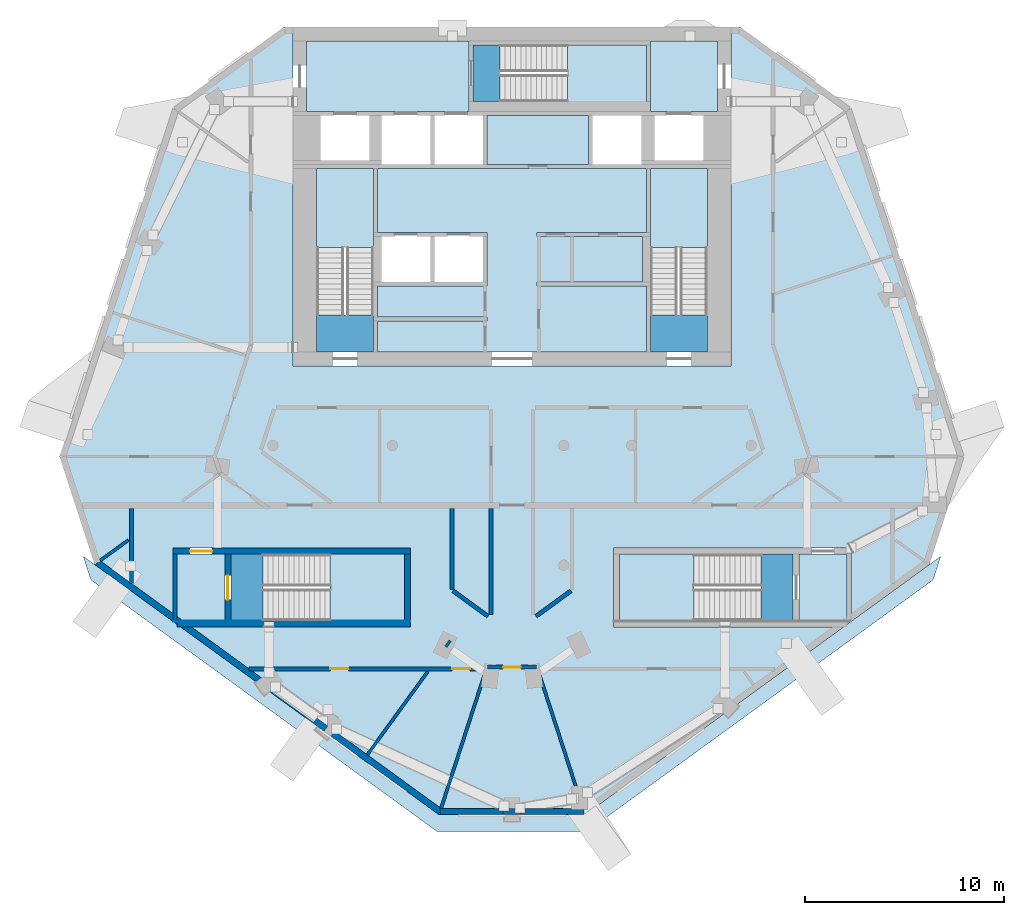
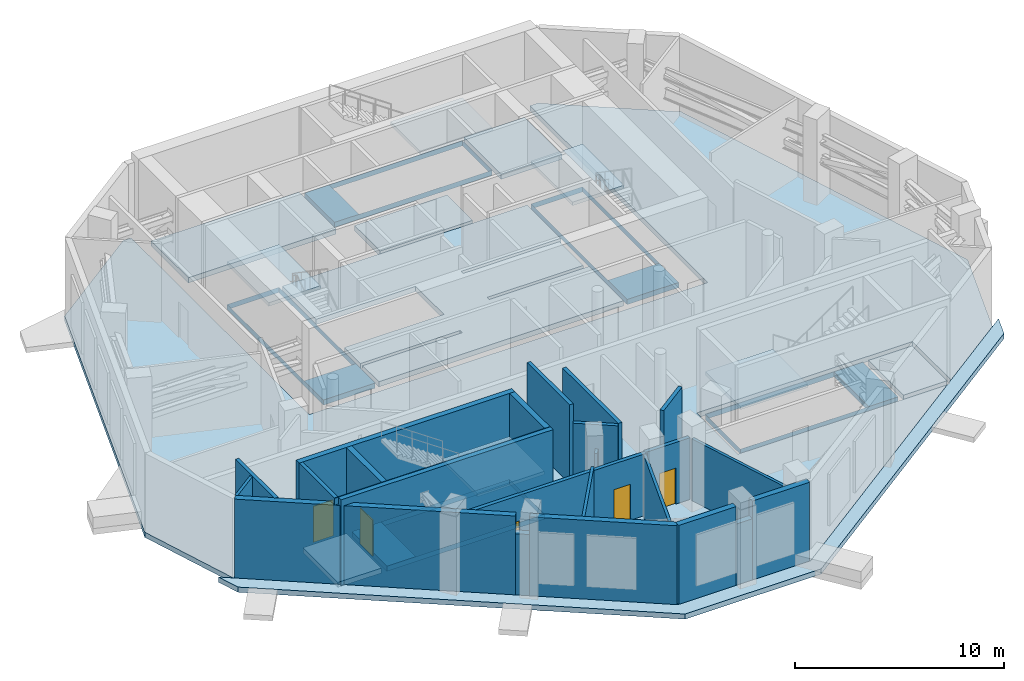
# One storey, part 6 of 15: 24 walls, 18 slabs, 5 doors, 5 openings, 5 elements without a shape of their own.
"""IFC4 building model written with IfcOpenShell, lengths in metres."""

import ifcopenshell
import ifcopenshell.guid

model = None  # the IFC model being written
_history = None  # IfcOwnerHistory: only IFC2X3 demands one
_inside = {}  # id of a spatial element -> (the spatial element, [elements in it])
_under = {}  # id of a project, library or spatial element -> (it, [spatial elements below it])
_declared = {}  # id of a project -> (the project, [libraries it declares])
_typed = {}  # id of a type object -> (the type object, [elements of that type])
_made_of = {}  # id of a material, layer set ... -> (it, [elements and type objects made of it])


def new_model(schema):
    """Start an empty IFC model of exactly this schema.

    Asked for "IFC4X3", IfcOpenShell would pick the latest addendum, in which some entities
    have other attributes; the version numbers below select the first issue.
    IFC2X3 requires an IfcOwnerHistory on every rooted entity: one is made here for all.
    """
    global model, _history
    if schema == "IFC4X3":
        model = ifcopenshell.file(schema_version=(4, 3, 0, 0))
    else:
        model = ifcopenshell.file(schema=schema)
    _inside.clear()
    _under.clear()
    _declared.clear()
    _typed.clear()
    _made_of.clear()
    _history = None
    if model.schema == "IFC2X3":
        org = make("IfcOrganization", Name="unknown")
        user = make(
            "IfcPersonAndOrganization",
            ThePerson=make("IfcPerson", FamilyName="unknown"),
            TheOrganization=org,
        )
        app = make(
            "IfcApplication",
            ApplicationDeveloper=org,
            Version="unknown",
            ApplicationFullName="unknown",
            ApplicationIdentifier="unknown",
        )
        _history = make(
            "IfcOwnerHistory",
            OwningUser=user,
            OwningApplication=app,
            ChangeAction="ADDED",
            CreationDate=0,
        )
    return model


def make(cls, **values):
    """One entity of the class cls with the attributes given. An attribute that is None is left unset."""
    return model.create_entity(
        cls, **{name: value for name, value in values.items() if value is not None}
    )


def rooted(cls, **values):
    """An entity with a GlobalId (a new one), such as an element, a storey or a relation."""
    return make(cls, GlobalId=ifcopenshell.guid.new(), OwnerHistory=_history, **values)


def si_unit(unit_type, name, prefix=None):
    """IfcSIUnit, for example si_unit("LENGTHUNIT", "METRE", prefix="MILLI")."""
    return make("IfcSIUnit", UnitType=unit_type, Prefix=prefix, Name=name)


def assignment(units):
    """IfcUnitAssignment: the units of a project."""
    return None if units is None else make("IfcUnitAssignment", Units=units)


def point(xyz):
    """IfcCartesianPoint."""
    return None if xyz is None else make("IfcCartesianPoint", Coordinates=xyz)


def direction(xyz):
    """IfcDirection."""
    return None if xyz is None else make("IfcDirection", DirectionRatios=xyz)


def frame(location, z_axis=None, x_axis=None):
    """IfcAxis2Placement3D, a coordinate frame: its origin and axes. An axis left out is left unset."""
    return make(
        "IfcAxis2Placement3D",
        Location=point(location),
        Axis=direction(z_axis),
        RefDirection=direction(x_axis),
    )


def frame_2d(location, x_axis=None):
    """IfcAxis2Placement2D, a coordinate frame in the plane: its origin and x axis."""
    return make(
        "IfcAxis2Placement2D", Location=point(location), RefDirection=direction(x_axis)
    )


def origin():
    """The frame at (0, 0, 0) with its axes left unset."""
    return frame((0.0, 0.0, 0.0))


def place(relative_to, where):
    """IfcLocalPlacement: puts the frame where relative to a parent placement (None: the world)."""
    return make(
        "IfcLocalPlacement", PlacementRelTo=relative_to, RelativePlacement=where
    )


def context(
    kind, dimensions, precision=None, world=None, true_north=None, identifier=None
):
    """IfcGeometricRepresentationContext, for example the 3D "Model" context."""
    return make(
        "IfcGeometricRepresentationContext",
        ContextIdentifier=identifier,
        ContextType=kind,
        CoordinateSpaceDimension=dimensions,
        Precision=precision,
        WorldCoordinateSystem=world,
        TrueNorth=true_north,
    )


def subcontext(parent, identifier, kind, view, scale=None):
    """IfcGeometricRepresentationSubContext, for example "Body" below "Model"."""
    return make(
        "IfcGeometricRepresentationSubContext",
        ContextIdentifier=identifier,
        ContextType=kind,
        ParentContext=parent,
        TargetScale=scale,
        TargetView=view,
    )


def project(units=None, contexts=None):
    """IfcProject with its units and contexts."""
    return rooted(
        "IfcProject",
        Name="project",
        RepresentationContexts=contexts,
        UnitsInContext=assignment(units),
    )


def spatial(cls, under=None, at=None, **own):
    """A site, building, storey or space (cls), placed at a placement, below another one or the project."""
    s = rooted(cls, ObjectPlacement=at, **own)
    if under is not None:
        _under.setdefault(under.id(), (under, []))[1].append(s)
    return s


def polyline(points):
    """IfcPolyline through the points."""
    return make("IfcPolyline", Points=[point(p) for p in points])


def profile(cls, at=None, kind="AREA", **sizes):
    """A parametric profile (cls). Its sizes go by their IFC names, for example OverallWidth=200.0."""
    return make(cls, ProfileType=kind, Position=at, **sizes)


def rectangle(**sizes):
    """IfcRectangleProfileDef."""
    return profile("IfcRectangleProfileDef", **sizes)


def outline(outer, holes=None, kind="AREA"):
    """IfcArbitraryClosedProfileDef: a profile drawn as a closed curve; with holes, ...WithVoids."""
    if holes is None:
        return make("IfcArbitraryClosedProfileDef", ProfileType=kind, OuterCurve=outer)
    return make(
        "IfcArbitraryProfileDefWithVoids",
        ProfileType=kind,
        OuterCurve=outer,
        InnerCurves=holes,
    )


def extrude(swept, where, along, depth):
    """IfcExtrudedAreaSolid: the profile swept, set in the frame where, extruded along a direction by depth."""
    return make(
        "IfcExtrudedAreaSolid",
        SweptArea=swept,
        Position=where,
        ExtrudedDirection=direction(along),
        Depth=depth,
    )


def shape(context_of_items, identifier, shape_type, items):
    """IfcShapeRepresentation: the items that make up one representation, for example the "Body"."""
    return make(
        "IfcShapeRepresentation",
        ContextOfItems=context_of_items,
        RepresentationIdentifier=identifier,
        RepresentationType=shape_type,
        Items=items,
    )


def material(Name=None, Category=None):
    """IfcMaterial."""
    return make("IfcMaterial", Name=Name, Category=Category)


def layer(
    of_material, thickness, ventilated=None, Name=None, Category=None, Priority=None
):
    """IfcMaterialLayer: one layer of a wall or slab, of a material (None: an air gap)."""
    return make(
        "IfcMaterialLayer",
        Material=of_material,
        LayerThickness=thickness,
        IsVentilated=ventilated,
        Name=Name,
        Category=Category,
        Priority=Priority,
    )


def layer_set(layers, Name=None):
    """IfcMaterialLayerSet."""
    return make("IfcMaterialLayerSet", MaterialLayers=layers, LayerSetName=Name)


def made_of(thing, what):
    """Note that an element or type object is made of a material, layer set ...; save() writes the relation."""
    if what is not None:
        _made_of.setdefault(what.id(), (what, []))[1].append(thing)
    return thing


def type_object(cls, material=None, **own):
    """A type object (cls), such as IfcWallType, which elements share."""
    return made_of(rooted(cls, **own), material)


def element(
    cls,
    number,
    at=None,
    inside=None,
    cuts=None,
    type_object=None,
    material=None,
    context=None,
    identifier="Body",
    shape_type=None,
    held_by="IfcProductDefinitionShape",
    body=None,
    shapes=None,
    **own,
):
    """One element of the class cls, such as IfcWall. Its Tag is "e" and its number.

    at: its placement. inside: the storey or other place that contains it. cuts: it is an
    opening in that element (IfcRelVoidsElement). A single representation is given by context,
    identifier, shape_type and body (its items); several are given by shapes. held_by: the class
    of the entity that holds the representations. save() writes the other relations.
    """
    e = rooted(cls, Tag="e%d" % number, ObjectPlacement=at, **own)
    if body is not None:
        shapes = [shape(context, identifier, shape_type, body)]
    if shapes is not None:
        e.Representation = make(held_by, Representations=shapes)
    if inside is not None:
        _inside.setdefault(inside.id(), (inside, []))[1].append(e)
    if cuts is not None:
        rooted(
            "IfcRelVoidsElement", RelatingBuildingElement=cuts, RelatedOpeningElement=e
        )
    if type_object is not None:
        _typed.setdefault(type_object.id(), (type_object, []))[1].append(e)
    return made_of(e, material)


def fill(opening, filler):
    """IfcRelFillsElement: the door or window that sits in an opening."""
    return rooted(
        "IfcRelFillsElement",
        RelatingOpeningElement=opening,
        RelatedBuildingElement=filler,
    )


def aggregate(whole, parts):
    """IfcRelAggregates: a whole, such as a stair, and the parts it consists of."""
    return rooted("IfcRelAggregates", RelatingObject=whole, RelatedObjects=parts)


def save(model, path):
    """Write the relations noted so far, then the file.

    IfcRelAggregates (storeys below a building ...), IfcRelContainedInSpatialStructure (elements
    in a storey), IfcRelDefinesByType, IfcRelAssociatesMaterial and IfcRelDeclares: one each for
    every whole, place, type object, material and project.
    """
    for whole, parts in _under.values():
        aggregate(whole, parts)
    for where, things in _inside.values():
        rooted(
            "IfcRelContainedInSpatialStructure",
            RelatedElements=things,
            RelatingStructure=where,
        )
    for kind, things in _typed.values():
        rooted("IfcRelDefinesByType", RelatedObjects=things, RelatingType=kind)
    for what, things in _made_of.values():
        rooted("IfcRelAssociatesMaterial", RelatedObjects=things, RelatingMaterial=what)
    for by, libraries in _declared.values():
        rooted("IfcRelDeclares", RelatingContext=by, RelatedDefinitions=libraries)
    model.write(path)


model = new_model("IFC4")

# Units and contexts
model_context = context("Model", 3, precision=1e-05, world=origin(), true_north=direction((0.0, 1.0)))
body_context = subcontext(model_context, "Body", "Model", "MODEL_VIEW")
ifc_project = project(units=[si_unit("LENGTHUNIT", "METRE"), si_unit("AREAUNIT", "SQUARE_METRE"), si_unit("VOLUMEUNIT", "CUBIC_METRE"), si_unit("PLANEANGLEUNIT", "RADIAN"), si_unit("MASSUNIT", "GRAM", prefix="KILO")], contexts=[model_context])

# Site, building, storey
site_placement = place(None, origin())
site = spatial("IfcSite", under=ifc_project, at=site_placement, CompositionType="ELEMENT")
building_placement = place(site_placement, origin())
building = spatial("IfcBuilding", under=site, at=building_placement, Name="White Candle Pilgrim Tower", CompositionType="ELEMENT")
storey_placement = place(building_placement, frame((0.0, 0.0, 295.10009765625)))
storey = spatial("IfcBuildingStorey", under=building, at=storey_placement, Name="L70", CompositionType="ELEMENT", Elevation=295.10009765625)

# Slabs
ifc_material_1 = material(Name="Concrete C40/50", Category="concrete")
ifc_layer_1 = layer(ifc_material_1, 0.300048828125)
ifc_layer_set_1 = layer_set([ifc_layer_1], Name="Core floor slab 300 mm Concrete C40/50")
slab_type_1 = type_object("IfcSlabType", Name="Core floor slab 300 mm Concrete C40/50", PredefinedType="FLOOR", material=ifc_layer_set_1)
slab_1_placement = place(storey_placement, frame((0.0, 0.0, -0.300048828125)))
element("IfcSlab", 1, at=slab_1_placement, inside=storey, type_object=slab_type_1, Name="CF-L70-01", PredefinedType="FLOOR", context=body_context, shape_type="SweptSolid", body=[
    extrude(outline(polyline([(55.60009765625, 58.199951171875), (53.199951171875, 58.199951171875), (53.199951171875, 61.550048828125), (55.60009765625, 61.550048828125), (55.60009765625, 58.199951171875)])), origin(), (0.0, 0.0, 1.0), 0.300048828125),
])
slab_2_placement = place(storey_placement, frame((0.0, 0.0, -0.300048828125)))
element("IfcSlab", 2, at=slab_2_placement, inside=storey, type_object=slab_type_1, Name="CF-L70-02", PredefinedType="FLOOR", context=body_context, shape_type="SweptSolid", body=[
    extrude(outline(polyline([(55.89990234375, 58.199951171875), (55.89990234375, 61.550048828125), (64.60009765625, 61.550048828125), (64.60009765625, 58.199951171875), (55.89990234375, 58.199951171875)]), holes=[polyline([(57.501953125, 61.548095703125), (57.501953125, 58.201904296875), (64.597900390625, 58.201904296875), (64.597900390625, 61.548095703125), (57.501953125, 61.548095703125)])]), origin(), (0.0, 0.0, 1.0), 0.300048828125),
])
slab_3_placement = place(storey_placement, frame((0.0, 0.0, -0.300048828125)))
element("IfcSlab", 3, at=slab_3_placement, inside=storey, type_object=slab_type_1, Name="CF-L70-03", PredefinedType="FLOOR", context=body_context, shape_type="SweptSolid", body=[
    extrude(outline(polyline([(75.39990234375, 58.199951171875), (75.39990234375, 61.550048828125), (84.10009765625, 61.550048828125), (84.10009765625, 58.199951171875), (75.39990234375, 58.199951171875)]), holes=[polyline([(82.498046875, 58.201904296875), (82.498046875, 61.548095703125), (75.402099609375, 61.548095703125), (75.402099609375, 58.201904296875), (82.498046875, 58.201904296875)])]), origin(), (0.0, 0.0, 1.0), 0.300048828125),
])
slab_4_placement = place(storey_placement, frame((0.0, 0.0, -0.300048828125)))
element("IfcSlab", 4, at=slab_4_placement, inside=storey, type_object=slab_type_1, Name="CF-L70-04", PredefinedType="FLOOR", context=body_context, shape_type="SweptSolid", body=[
    extrude(outline(polyline([(86.800048828125, 58.199951171875), (84.39990234375, 58.199951171875), (84.39990234375, 61.550048828125), (86.800048828125, 61.550048828125), (86.800048828125, 58.199951171875)])), origin(), (0.0, 0.0, 1.0), 0.300048828125),
])
slab_5_placement = place(storey_placement, frame((0.0, 0.0, -0.300048828125)))
element("IfcSlab", 5, at=slab_5_placement, inside=storey, type_object=slab_type_1, Name="CF-L70-05", PredefinedType="FLOOR", context=body_context, shape_type="SweptSolid", body=[
    extrude(outline(polyline([(76.949951171875, 71.699951171875), (76.949951171875, 75.0), (76.949951171875, 75.199951171875), (76.949951171875, 77.5), (76.949951171875, 77.699951171875), (76.949951171875, 80.89990234375), (79.800048828125, 80.89990234375), (79.800048828125, 71.699951171875), (76.949951171875, 71.699951171875)]), holes=[polyline([(76.951904296875, 73.552001953125), (79.798095703125, 73.552001953125), (79.798095703125, 80.89794921875), (76.951904296875, 80.89794921875), (76.951904296875, 73.552001953125)])]), origin(), (0.0, 0.0, 1.0), 0.300048828125),
])
slab_6_placement = place(storey_placement, frame((0.0, 0.0, -0.300048828125)))
element("IfcSlab", 6, at=slab_6_placement, inside=storey, type_object=slab_type_1, Name="CF-L70-06", PredefinedType="FLOOR", context=body_context, shape_type="SweptSolid", body=[
    extrude(outline(polyline([(63.25, 71.699951171875), (63.25, 73.25), (68.75, 73.25), (68.75, 73.449951171875), (63.25, 73.449951171875), (63.25, 75.0), (68.75, 75.0), (68.75, 75.199951171875), (68.75, 77.5), (68.75, 77.699951171875), (63.25, 77.699951171875), (63.25, 80.89990234375), (76.75, 80.89990234375), (76.75, 77.699951171875), (71.25, 77.699951171875), (71.25, 77.5), (76.550048828125, 77.5), (76.550048828125, 75.199951171875), (71.25, 75.199951171875), (71.25, 75.0), (76.75, 75.0), (76.75, 71.699951171875), (63.25, 71.699951171875)])), origin(), (0.0, 0.0, 1.0), 0.300048828125),
])
slab_7_placement = place(storey_placement, frame((0.0, 0.0, -0.300048828125)))
element("IfcSlab", 7, at=slab_7_placement, inside=storey, type_object=slab_type_1, Name="CF-L70-07", PredefinedType="FLOOR", context=body_context, shape_type="SweptSolid", body=[
    extrude(outline(polyline([(60.199951171875, 71.699951171875), (60.199951171875, 80.89990234375), (63.050048828125, 80.89990234375), (63.050048828125, 77.699951171875), (63.050048828125, 77.5), (63.050048828125, 75.199951171875), (63.050048828125, 75.0), (63.050048828125, 73.449951171875), (63.050048828125, 73.25), (63.050048828125, 71.699951171875), (60.199951171875, 71.699951171875)]), holes=[polyline([(60.201904296875, 73.552001953125), (63.048095703125, 73.552001953125), (63.048095703125, 80.89794921875), (60.201904296875, 80.89794921875), (60.201904296875, 73.552001953125)])]), origin(), (0.0, 0.0, 1.0), 0.300048828125),
])
slab_8_placement = place(storey_placement, frame((0.0, 0.0, -0.300048828125)))
element("IfcSlab", 8, at=slab_8_placement, inside=storey, type_object=slab_type_1, Name="CF-L70-08", PredefinedType="FLOOR", context=body_context, shape_type="SweptSolid", body=[
    extrude(outline(polyline([(59.699951171875, 87.300048828125), (67.85009765625, 87.300048828125), (67.85009765625, 87.10009765625), (67.85009765625, 84.25), (67.85009765625, 83.75), (59.699951171875, 83.75), (59.699951171875, 87.300048828125)])), origin(), (0.0, 0.0, 1.0), 0.300048828125),
])
slab_9_placement = place(storey_placement, frame((0.0, 0.0, -0.300048828125)))
element("IfcSlab", 9, at=slab_9_placement, inside=storey, type_object=slab_type_1, Name="CF-L70-09", PredefinedType="FLOOR", context=body_context, shape_type="SweptSolid", body=[
    extrude(outline(polyline([(80.300048828125, 87.300048828125), (80.300048828125, 83.75), (76.949951171875, 83.75), (76.949951171875, 84.25), (76.949951171875, 87.10009765625), (76.949951171875, 87.300048828125), (80.300048828125, 87.300048828125)])), origin(), (0.0, 0.0, 1.0), 0.300048828125),
])
slab_10_placement = place(storey_placement, frame((0.0, 0.0, -0.300048828125)))
element("IfcSlab", 10, at=slab_10_placement, inside=storey, type_object=slab_type_1, Name="CF-L70-10", PredefinedType="FLOOR", context=body_context, shape_type="SweptSolid", body=[
    extrude(outline(polyline([(68.050048828125, 87.10009765625), (76.75, 87.10009765625), (76.75, 84.25), (68.050048828125, 84.25), (68.050048828125, 87.10009765625)]), holes=[polyline([(69.402099609375, 87.097900390625), (69.402099609375, 84.251953125), (76.748046875, 84.251953125), (76.748046875, 87.097900390625), (69.402099609375, 87.097900390625)])]), origin(), (0.0, 0.0, 1.0), 0.300048828125),
])
slab_11_placement = place(storey_placement, frame((0.0, 0.0, -0.300048828125)))
element("IfcSlab", 11, at=slab_11_placement, inside=storey, type_object=slab_type_1, Name="CF-L70-11", PredefinedType="FLOOR", context=body_context, shape_type="SweptSolid", body=[
    extrude(outline(polyline([(73.85009765625, 83.550048828125), (73.85009765625, 81.10009765625), (68.75, 81.10009765625), (68.75, 83.550048828125), (73.85009765625, 83.550048828125)])), origin(), (0.0, 0.0, 1.0), 0.300048828125),
])
ifc_layer_2 = layer(ifc_material_1, 0.300048828125)
ifc_layer_set_2 = layer_set([ifc_layer_2], Name="Floor slab 300 REI 240")
slab_type_2 = type_object("IfcSlabType", Name="Floor slab 300 REI 240", PredefinedType="FLOOR", material=ifc_layer_set_2)
slab_12_placement = place(storey_placement, frame((0.0, 0.0, -0.300048828125)))
element("IfcSlab", 12, at=slab_12_placement, inside=storey, type_object=slab_type_2, Name="L70 floor slab", PredefinedType="FLOOR", context=body_context, shape_type="SweptSolid", body=[
    extrude(outline(polyline([(66.33740234375, 48.476318359375), (73.66259765625, 48.476318359375), (86.633056640625, 57.89990234375), (75.10009765625, 57.89990234375), (75.10009765625, 61.85009765625), (87.0, 61.85009765625), (87.0, 58.16650390625), (90.9375, 61.02734375), (92.697265625, 66.443359375), (87.00830078125, 83.952392578125), (81.43701171875, 88.0), (81.0, 88.0), (81.0, 71.0), (59.0, 71.0), (59.0, 88.0), (58.56298828125, 88.0), (52.99169921875, 83.952392578125), (47.302734375, 66.443359375), (49.0625, 61.02734375), (53.0, 58.16650390625), (53.0, 61.85009765625), (64.89990234375, 61.85009765625), (64.89990234375, 57.89990234375), (53.366943359375, 57.89990234375), (66.33740234375, 48.476318359375)])), origin(), (0.0, 0.0, 1.0), 0.300048828125),
])
ifc_layer_3 = layer(ifc_material_1, 0.300048828125)
ifc_layer_set_3 = layer_set([ifc_layer_3], Name="Setback ledge 300 REI 240")
slab_type_3 = type_object("IfcSlabType", Name="Setback ledge 300 REI 240", PredefinedType="FLOOR", material=ifc_layer_set_3)
slab_13_placement = place(storey_placement, frame((0.0, 0.0, -0.300048828125)))
element("IfcSlab", 13, at=slab_13_placement, inside=storey, type_object=slab_type_3, Name="L70 setback ledge 01", PredefinedType="FLOOR", context=body_context, shape_type="SweptSolid", body=[
    extrude(outline(polyline([(66.242919921875, 47.6337890625), (73.757080078125, 47.6337890625), (91.129638671875, 60.255859375), (91.51708984375, 61.448486328125), (73.66259765625, 48.476318359375), (66.33740234375, 48.476318359375), (48.48291015625, 61.448486328125), (48.870361328125, 60.255859375), (66.242919921875, 47.6337890625)])), origin(), (0.0, 0.0, 1.0), 0.300048828125),
])

# Stair, slab
stair_type_1 = type_object("IfcStairType", Name="Exit stair 1 flight width 1350 mm", PredefinedType="HALF_TURN_STAIR", material=ifc_material_1)
stair_1_placement = place(storey_placement, origin())
stair_1 = element("IfcStair", 14, at=stair_1_placement, inside=storey, type_object=stair_type_1, Name="L70 stair 1", PredefinedType="NOTDEFINED")
ifc_layer_4 = layer(ifc_material_1, 0.199951171875)
ifc_layer_set_4 = layer_set([ifc_layer_4], Name="Stair landing Concrete C40/50")
slab_type_4 = type_object("IfcSlabType", Name="Stair landing Concrete C40/50", PredefinedType="LANDING", material=ifc_layer_set_4)
slab_14_placement = place(storey_placement, frame((0.0, 0.0, 2.2998046875)))
slab_14 = element("IfcSlab", 15, at=slab_14_placement, type_object=slab_type_4, Name="ST1 landing 1", PredefinedType="LANDING", context=body_context, shape_type="SweptSolid", body=[
    extrude(outline(polyline([(63.052001953125, 76.927978515625), (60.197998046875, 76.927978515625), (60.197998046875, 80.902099609375), (63.052001953125, 80.902099609375), (63.052001953125, 76.927978515625)])), origin(), (0.0, 0.0, 1.0), 0.2001953125),
])
aggregate(stair_1, [slab_14])

stair_type_2 = type_object("IfcStairType", Name="Exit stair 2 flight width 1350 mm", PredefinedType="HALF_TURN_STAIR", material=ifc_material_1)
stair_2_placement = place(storey_placement, origin())
stair_2 = element("IfcStair", 16, at=stair_2_placement, inside=storey, type_object=stair_type_2, Name="L70 stair 2", PredefinedType="NOTDEFINED")
slab_15_placement = place(storey_placement, frame((0.0, 0.0, 2.2998046875)))
slab_15 = element("IfcSlab", 17, at=slab_15_placement, type_object=slab_type_4, Name="ST2 landing 1", PredefinedType="LANDING", context=body_context, shape_type="SweptSolid", body=[
    extrude(outline(polyline([(79.802001953125, 76.927978515625), (76.947998046875, 76.927978515625), (76.947998046875, 80.902099609375), (79.802001953125, 80.902099609375), (79.802001953125, 76.927978515625)])), origin(), (0.0, 0.0, 1.0), 0.2001953125),
])
aggregate(stair_2, [slab_15])

stair_type_3 = type_object("IfcStairType", Name="Exit stair 3 flight width 1350 mm", PredefinedType="HALF_TURN_STAIR", material=ifc_material_1)
stair_3_placement = place(storey_placement, origin())
stair_3 = element("IfcStair", 18, at=stair_3_placement, inside=storey, type_object=stair_type_3, Name="L70 stair 3", PredefinedType="NOTDEFINED")
slab_16_placement = place(storey_placement, frame((0.0, 0.0, 2.2998046875)))
slab_16 = element("IfcSlab", 19, at=slab_16_placement, type_object=slab_type_4, Name="ST3 landing 1", PredefinedType="LANDING", context=body_context, shape_type="SweptSolid", body=[
    extrude(outline(polyline([(72.778076171875, 84.248046875), (72.778076171875, 87.10205078125), (76.751953125, 87.10205078125), (76.751953125, 84.248046875), (72.778076171875, 84.248046875)])), origin(), (0.0, 0.0, 1.0), 0.2001953125),
])
aggregate(stair_3, [slab_16])

stair_type_4 = type_object("IfcStairType", Name="Exit stair 4 flight width 1600 mm", PredefinedType="HALF_TURN_STAIR", material=ifc_material_1)
stair_4_placement = place(storey_placement, origin())
stair_4 = element("IfcStair", 20, at=stair_4_placement, inside=storey, type_object=stair_type_4, Name="L70 stair 4", PredefinedType="NOTDEFINED")
slab_17_placement = place(storey_placement, frame((0.0, 0.0, 2.2998046875)))
slab_17 = element("IfcSlab", 21, at=slab_17_placement, type_object=slab_type_4, Name="ST4 landing 1", PredefinedType="LANDING", context=body_context, shape_type="SweptSolid", body=[
    extrude(outline(polyline([(79.1220703125, 61.552001953125), (79.1220703125, 58.197998046875), (75.39794921875, 58.197998046875), (75.39794921875, 61.552001953125), (79.1220703125, 61.552001953125)])), origin(), (0.0, 0.0, 1.0), 0.2001953125),
])
aggregate(stair_4, [slab_17])

stair_type_5 = type_object("IfcStairType", Name="Exit stair 5 flight width 1600 mm", PredefinedType="HALF_TURN_STAIR", material=ifc_material_1)
stair_5_placement = place(storey_placement, origin())
stair_5 = element("IfcStair", 22, at=stair_5_placement, inside=storey, type_object=stair_type_5, Name="L70 stair 5", PredefinedType="NOTDEFINED")
slab_18_placement = place(storey_placement, frame((0.0, 0.0, 2.2998046875)))
slab_18 = element("IfcSlab", 23, at=slab_18_placement, type_object=slab_type_4, Name="ST5 landing 1", PredefinedType="LANDING", context=body_context, shape_type="SweptSolid", body=[
    extrude(outline(polyline([(60.8779296875, 58.197998046875), (60.8779296875, 61.552001953125), (64.60205078125, 61.552001953125), (64.60205078125, 58.197998046875), (60.8779296875, 58.197998046875)])), origin(), (0.0, 0.0, 1.0), 0.2001953125),
])
aggregate(stair_5, [slab_18])

# Walls
ifc_material_2 = material(Name="Concrete C50/60", Category="concrete")
ifc_layer_5 = layer(ifc_material_2, 0.199951171875)
ifc_layer_set_5 = layer_set([ifc_layer_5], Name="Core wall 200 mm Concrete C50/60")
wall_type_1 = type_object("IfcWallType", Name="Core wall 200 mm Concrete C50/60", PredefinedType="SHEAR", material=ifc_layer_set_5)
wall_1_placement = place(storey_placement, frame((53.10009765625, 58.199951171875, 0.0), z_axis=(0.0, 0.0, 1.0), x_axis=(0.0, 1.0, 0.0)))
element("IfcWall", 24, at=wall_1_placement, inside=storey, type_object=wall_type_1, Name="WL-L70-C05", PredefinedType="SHEAR", context=body_context, shape_type="SweptSolid", body=[
    extrude(rectangle(XDim=3.35009765625, YDim=0.199951171875, at=frame_2d((1.675048828125, 0.0))), origin(), (0.0, 0.0, 1.0), 5.0),
])
ifc_layer_6 = layer(ifc_material_2, 0.2666015625)
ifc_layer_set_6 = layer_set([ifc_layer_6], Name="Core wall 267 mm Concrete C50/60")
wall_type_2 = type_object("IfcWallType", Name="Core wall 267 mm Concrete C50/60", PredefinedType="SHEAR", material=ifc_layer_set_6)
wall_2_placement = place(storey_placement, frame((53.199951171875, 58.033203125, 0.0), z_axis=(0.0, 0.0, 1.0), x_axis=(1.0, 0.0, 0.0)))
element("IfcWall", 25, at=wall_2_placement, inside=storey, type_object=wall_type_2, Name="WL-L70-C01", PredefinedType="SHEAR", context=body_context, shape_type="SweptSolid", body=[
    extrude(rectangle(XDim=11.699951171875, YDim=0.2666015625, at=frame_2d((5.85009765625, 0.0))), origin(), (0.0, 0.0, 1.0), 5.0),
])
ifc_material_3 = material(Name="Gypsum board on steel studs", Category="steel")
ifc_layer_7 = layer(ifc_material_3, 0.199951171875)
ifc_layer_set_7 = layer_set([ifc_layer_7], Name="Corridor wall 200 mm EI 45")
wall_type_3 = type_object("IfcWallType", Name="Corridor wall 200 mm EI 45", PredefinedType="PARTITIONING", material=ifc_layer_set_7)
wall_3_placement = place(storey_placement, frame((50.89990234375, 60.087890625, 0.0), z_axis=(0.0, 0.0, 1.0), x_axis=(0.0, 1.0, 0.0)))
element("IfcWall", 26, at=wall_3_placement, inside=storey, type_object=wall_type_3, Name="WL-L70-P002", PredefinedType="PARTITIONING", context=body_context, shape_type="SweptSolid", body=[
    extrude(rectangle(XDim=3.76220703125, YDim=0.199951171875, at=frame_2d((1.881103515625, 0.0))), origin(), (0.0, 0.0, 1.0), 4.599853515625),
])

# Wall, opening, door
wall_4_placement = place(storey_placement, frame((71.2255859375, 55.876220703125, 0.0), z_axis=(0.0, 0.0, 1.0), x_axis=(-1.0, 0.0, 0.0)))
wall_4 = element("IfcWall", 27, at=wall_4_placement, inside=storey, type_object=wall_type_3, Name="WL-L70-P013", PredefinedType="PARTITIONING", context=body_context, shape_type="SweptSolid", body=[
    extrude(rectangle(XDim=2.451171875, YDim=0.199951171875, at=frame_2d((1.2255859375, 0.0))), origin(), (0.0, 0.0, 1.0), 3.599853515625),
])
opening_1_placement = place(wall_4_placement, frame((0.775634765625, 0.0, 0.0)))
opening_1 = element("IfcOpeningElement", 28, at=opening_1_placement, cuts=wall_4, Name="Opening L70-102", PredefinedType="OPENING", context=body_context, shape_type="SweptSolid", body=[
    extrude(rectangle(XDim=0.89990234375, YDim=2.10009765625, at=frame_2d((0.449951171875, 1.050048828125))), frame((0.0, 0.10986328125, 0.0), z_axis=(0.0, -1.0, 0.0), x_axis=(1.0, 0.0, 0.0)), (0.0, 0.0, 1.0), 0.219970703125),
])
ifc_material_4 = material(Name="Steel door leaf", Category="steel")
door_type_1 = type_object("IfcDoorType", Name="Fire door 900 x 2100 EI 30", OperationType="NOTDEFINED", PredefinedType="DOOR", material=ifc_material_4)
door_1_placement = place(opening_1_placement, origin())
door_1 = element("IfcDoor", 29, at=door_1_placement, inside=storey, type_object=door_type_1, Name="Door L70-102", OperationType="SINGLE_SWING_RIGHT", OverallHeight=2.10009765625, OverallWidth=0.89990234375, PredefinedType="DOOR", context=body_context, shape_type="SweptSolid", body=[
    extrude(rectangle(XDim=0.89990234375, YDim=2.10009765625, at=frame_2d((0.449951171875, 1.050048828125))), frame((0.0, 0.02490234375, 0.0), z_axis=(0.0, -1.0, 0.0), x_axis=(1.0, 0.0, 0.0)), (0.0, 0.0, 1.0), 0.050048828125),
])
fill(opening_1, door_1)

# Wall, openings, doors
wall_5_placement = place(storey_placement, frame((68.835693359375, 55.800048828125, 0.0), z_axis=(0.0, 0.0, 1.0), x_axis=(-1.0, 0.0, 0.0)))
wall_5 = element("IfcWall", 30, at=wall_5_placement, inside=storey, type_object=wall_type_3, Name="WL-L70-P014", PredefinedType="PARTITIONING", context=body_context, shape_type="SweptSolid", body=[
    extrude(rectangle(XDim=12.033935546875, YDim=0.199951171875, at=frame_2d((6.01708984375, 0.0))), origin(), (0.0, 0.0, 1.0), 3.599853515625),
])
opening_2_placement = place(wall_5_placement, frame((7.045654296875, 0.0, 0.0)))
opening_2 = element("IfcOpeningElement", 31, at=opening_2_placement, cuts=wall_5, Name="Opening L70-101", PredefinedType="OPENING", context=body_context, shape_type="SweptSolid", body=[
    extrude(rectangle(XDim=0.89990234375, YDim=2.10009765625, at=frame_2d((0.449951171875, 1.050048828125))), frame((0.0, 0.10986328125, 0.0), z_axis=(0.0, -1.0, 0.0), x_axis=(1.0, 0.0, 0.0)), (0.0, 0.0, 1.0), 0.219970703125),
])
opening_3_placement = place(wall_5_placement, frame((0.9365234375, 0.0, 0.0)))
opening_3 = element("IfcOpeningElement", 32, at=opening_3_placement, cuts=wall_5, Name="Opening L70-109", PredefinedType="OPENING", context=body_context, shape_type="SweptSolid", body=[
    extrude(rectangle(XDim=0.89990234375, YDim=2.10009765625, at=frame_2d((0.449951171875, 1.050048828125))), frame((0.0, 0.10986328125, 0.0), z_axis=(0.0, -1.0, 0.0), x_axis=(1.0, 0.0, 0.0)), (0.0, 0.0, 1.0), 0.219970703125),
])
door_2_placement = place(opening_2_placement, origin())
door_2 = element("IfcDoor", 33, at=door_2_placement, inside=storey, type_object=door_type_1, Name="Door L70-101", OperationType="SINGLE_SWING_LEFT", OverallHeight=2.10009765625, OverallWidth=0.89990234375, PredefinedType="DOOR", context=body_context, shape_type="SweptSolid", body=[
    extrude(rectangle(XDim=0.89990234375, YDim=2.10009765625, at=frame_2d((0.449951171875, 1.050048828125))), frame((0.0, 0.02490234375, 0.0), z_axis=(0.0, -1.0, 0.0), x_axis=(1.0, 0.0, 0.0)), (0.0, 0.0, 1.0), 0.050048828125),
])
fill(opening_2, door_2)
door_3_placement = place(opening_3_placement, origin())
door_3 = element("IfcDoor", 34, at=door_3_placement, inside=storey, type_object=door_type_1, Name="Door L70-109", OperationType="SINGLE_SWING_LEFT", OverallHeight=2.10009765625, OverallWidth=0.89990234375, PredefinedType="DOOR", context=body_context, shape_type="SweptSolid", body=[
    extrude(rectangle(XDim=0.89990234375, YDim=2.10009765625, at=frame_2d((0.449951171875, 1.050048828125))), frame((0.0, 0.02490234375, 0.0), z_axis=(0.0, -1.0, 0.0), x_axis=(1.0, 0.0, 0.0)), (0.0, 0.0, 1.0), 0.050048828125),
])
fill(opening_3, door_3)

# Walls
for number, where, z_axis, x_axis, name in (
    (35, (71.208740234375, 58.436279296875, 0.0), (0.0, 0.0, 1.0), (0.809009310944, 0.587795827483, 0.0), "WL-L70-P019"),
    (36, (67.041259765625, 59.707763671875, 0.0), (0.0, 0.0, 1.0), (0.809009310944, -0.587795827483, 0.0), "WL-L70-P022"),
):
    element("IfcWall", number, at=place(storey_placement, frame(where, z_axis=z_axis, x_axis=x_axis)), inside=storey, type_object=wall_type_3, Name=name, PredefinedType="PARTITIONING", context=body_context, shape_type="SweptSolid", body=[
        extrude(rectangle(XDim=2.1630859375, YDim=0.199951171875, at=frame_2d((1.08154296875, 0.0))), origin(), (0.0, 0.0, 1.0), 3.599853515625),
    ])
wall_6_placement = place(storey_placement, frame((68.949951171875, 58.51708984375, 0.0), z_axis=(0.0, 0.0, 1.0), x_axis=(0.0, 1.0, 0.0)))
element("IfcWall", 37, at=wall_6_placement, inside=storey, type_object=wall_type_3, Name="WL-L70-P023", PredefinedType="PARTITIONING", context=body_context, shape_type="SweptSolid", body=[
    extrude(rectangle(XDim=5.3330078125, YDim=0.199951171875, at=frame_2d((2.66650390625, 0.0))), origin(), (0.0, 0.0, 1.0), 3.599853515625),
])
wall_7_placement = place(storey_placement, frame((67.0, 63.85009765625, 0.0), z_axis=(0.0, 0.0, 1.0), x_axis=(0.0, -1.0, 0.0)))
element("IfcWall", 38, at=wall_7_placement, inside=storey, type_object=wall_type_3, Name="WL-L70-P028", PredefinedType="PARTITIONING", context=body_context, shape_type="SweptSolid", body=[
    extrude(rectangle(XDim=4.0615234375, YDim=0.199951171875, at=frame_2d((2.03076171875, 0.0))), origin(), (0.0, 0.0, 1.0), 4.599853515625),
])
ifc_material_5 = material(Name="Precast concrete C40/50", Category="concrete")
ifc_layer_8 = layer(ifc_material_5, 0.320068359375)
ifc_layer_set_8 = layer_set([ifc_layer_8], Name="Facade wall EW2 precast concrete C40/50 plant wall behind louvres")
wall_type_4 = type_object("IfcWallType", Name="Facade wall EW2 precast concrete C40/50 plant wall behind louvres", PredefinedType="SOLIDWALL", material=ifc_layer_set_8)
wall_8_placement = place(storey_placement, frame((49.19873046875, 61.126220703125, 0.0), z_axis=(0.0, 0.0, 1.0), x_axis=(0.809017645501, -0.587784356093, 0.0)))
element("IfcWall", 39, at=wall_8_placement, inside=storey, type_object=wall_type_4, Name="Facade wall L70 SW", PredefinedType="SOLIDWALL", context=body_context, shape_type="SweptSolid", body=[
    extrude(rectangle(XDim=13.494140625, YDim=0.320068359375, at=frame_2d((6.7470703125, 0.0))), origin(), (0.0, 0.0, 1.0), 4.599853515625),
])
wall_9_placement = place(storey_placement, frame((60.11572265625, 53.194580078125, 0.0), z_axis=(0.0, 0.0, 1.0), x_axis=(0.808860100839, -0.588001137134, 0.0)))
element("IfcWall", 40, at=wall_9_placement, inside=storey, type_object=wall_type_4, Name="Facade wall L70 SW", PredefinedType="SOLIDWALL", context=body_context, shape_type="SweptSolid", body=[
    extrude(rectangle(XDim=0.680908203125, YDim=0.320068359375, at=frame_2d((0.34033203125, 0.0))), origin(), (0.0, 0.0, 1.0), 3.56982421875),
])
wall_10_placement = place(storey_placement, frame((60.66650390625, 52.794189453125, 0.0), z_axis=(0.0, 0.0, 1.0), x_axis=(0.809015080735, -0.587787886182, 0.0)))
element("IfcWall", 41, at=wall_10_placement, inside=storey, type_object=wall_type_4, Name="Facade wall L70 SW", PredefinedType="SOLIDWALL", context=body_context, shape_type="SweptSolid", body=[
    extrude(rectangle(XDim=7.073974609375, YDim=0.320068359375, at=frame_2d((3.537109375, 0.0))), origin(), (0.0, 0.0, 1.0), 4.599853515625),
])
wall_11_placement = place(storey_placement, frame((66.389404296875, 48.63623046875, 0.0), z_axis=(0.0, 0.0, 1.0), x_axis=(1.0, 0.0, 0.0)))
element("IfcWall", 42, at=wall_11_placement, inside=storey, type_object=wall_type_4, Name="Facade wall L70 S chamfer", PredefinedType="SOLIDWALL", context=body_context, shape_type="SweptSolid", body=[
    extrude(rectangle(XDim=3.16064453125, YDim=0.320068359375, at=frame_2d((1.580322265625, 0.0))), origin(), (0.0, 0.0, 1.0), 4.599853515625),
])
wall_12_placement = place(storey_placement, frame((69.550048828125, 48.63623046875, 0.0), z_axis=(0.0, 0.0, 1.0), x_axis=(1.0, 0.0, 0.0)))
element("IfcWall", 43, at=wall_12_placement, inside=storey, type_object=wall_type_4, Name="Facade wall L70 S chamfer", PredefinedType="SOLIDWALL", context=body_context, shape_type="SweptSolid", body=[
    extrude(rectangle(XDim=0.89990234375, YDim=0.320068359375, at=frame_2d((0.449951171875, 0.0))), origin(), (0.0, 0.0, 1.0), 3.56982421875),
])
wall_13_placement = place(storey_placement, frame((70.449951171875, 48.63623046875, 0.0), z_axis=(0.0, 0.0, 1.0), x_axis=(1.0, 0.0, 0.0)))
element("IfcWall", 44, at=wall_13_placement, inside=storey, type_object=wall_type_4, Name="Facade wall L70 S chamfer", PredefinedType="SOLIDWALL", context=body_context, shape_type="SweptSolid", body=[
    extrude(rectangle(XDim=3.16064453125, YDim=0.320068359375, at=frame_2d((1.580322265625, 0.0))), origin(), (0.0, 0.0, 1.0), 4.599853515625),
])
ifc_layer_9 = layer(ifc_material_3, 0.14990234375)
ifc_layer_set_9 = layer_set([ifc_layer_9], Name="Partition 150 mm EI 60")
wall_type_5 = type_object("IfcWallType", Name="Partition 150 mm EI 60", PredefinedType="PARTITIONING", material=ifc_layer_set_9)
wall_14_placement = place(storey_placement, frame((49.334716796875, 61.22509765625, 0.0), z_axis=(0.0, 0.0, 1.0), x_axis=(0.809030480435, 0.587766689875, 0.0)))
element("IfcWall", 45, at=wall_14_placement, inside=storey, type_object=wall_type_5, Name="WL-L70-P031", PredefinedType="PARTITIONING", context=body_context, shape_type="SweptSolid", body=[
    extrude(rectangle(XDim=1.756591796875, YDim=0.14990234375, at=frame_2d((0.87841796875, 0.0))), origin(), (0.0, 0.0, 1.0), 4.599853515625),
])
for number, where, z_axis, x_axis, name in (
    (46, (66.44140625, 48.79638671875, 0.0), (0.0, 0.0, 1.0), (0.309020447313, 0.951055394361, 0.0), "WL-L70-P033"),
    (47, (73.55859375, 48.79638671875, 0.0), (0.0, 0.0, 1.0), (-0.309020447313, 0.951055394361, 0.0), "WL-L70-P034"),
):
    element("IfcWall", number, at=place(storey_placement, frame(where, z_axis=z_axis, x_axis=x_axis)), inside=storey, type_object=wall_type_5, Name=name, PredefinedType="PARTITIONING", context=body_context, shape_type="SweptSolid", body=[
        extrude(rectangle(XDim=7.234375, YDim=0.14990234375, at=frame_2d((3.6171875, 0.0))), origin(), (0.0, 0.0, 1.0), 3.599853515625),
    ])
wall_15_placement = place(storey_placement, frame((62.7421875, 51.48388671875, 0.0), z_axis=(0.0, 0.0, 1.0), x_axis=(0.587757821162, 0.809036923547, 0.0)))
element("IfcWall", 48, at=wall_15_placement, inside=storey, type_object=wall_type_5, Name="WL-L70-P041", PredefinedType="PARTITIONING", context=body_context, shape_type="SweptSolid", body=[
    extrude(rectangle(XDim=5.156982421875, YDim=0.14990234375, at=frame_2d((2.57861328125, 0.0))), origin(), (0.0, 0.0, 1.0), 3.89990234375),
])
wall_16_placement = place(storey_placement, frame((66.679931640625, 56.90380859375, 0.0), z_axis=(0.0, 0.0, 1.0), x_axis=(0.587828604698, 0.808985495234, 0.0)))
element("IfcWall", 49, at=wall_16_placement, inside=storey, type_object=wall_type_5, Name="WL-L70-P042", PredefinedType="PARTITIONING", context=body_context, shape_type="SweptSolid", body=[
    extrude(rectangle(XDim=0.380859375, YDim=0.14990234375, at=frame_2d((0.1904296875, 0.0))), origin(), (0.0, 0.0, 1.0), 3.599853515625),
])

# Wall, opening, door
ifc_layer_10 = layer(ifc_material_2, 0.300048828125)
ifc_layer_set_10 = layer_set([ifc_layer_10], Name="Stair shaft wall 300 mm Concrete C50/60")
wall_type_6 = type_object("IfcWallType", Name="Stair shaft wall 300 mm Concrete C50/60", PredefinedType="SHEAR", material=ifc_layer_set_10)
wall_17_placement = place(storey_placement, frame((55.75, 58.199951171875, 0.0), z_axis=(0.0, 0.0, 1.0), x_axis=(0.0, 1.0, 0.0)))
wall_17 = element("IfcWall", 50, at=wall_17_placement, inside=storey, type_object=wall_type_6, Name="WL-L70-C06", PredefinedType="SHEAR", context=body_context, shape_type="SweptSolid", body=[
    extrude(rectangle(XDim=3.35009765625, YDim=0.300048828125, at=frame_2d((1.675048828125, 0.0))), origin(), (0.0, 0.0, 1.0), 5.0),
])
opening_4_placement = place(wall_17_placement, frame((1.074951171875, 0.0, 0.0)))
opening_4 = element("IfcOpeningElement", 51, at=opening_4_placement, cuts=wall_17, Name="Opening L70-011", PredefinedType="OPENING", context=body_context, shape_type="SweptSolid", body=[
    extrude(rectangle(XDim=1.199951171875, YDim=2.10009765625, at=frame_2d((0.60009765625, 1.050048828125))), frame((0.0, 0.159912109375, 0.0), z_axis=(0.0, -1.0, 0.0), x_axis=(1.0, 0.0, 0.0)), (0.0, 0.0, 1.0), 0.320068359375),
])
door_type_2 = type_object("IfcDoorType", Name="Fire door 1200 x 2100 EI 60", OperationType="NOTDEFINED", PredefinedType="DOOR", material=ifc_material_4)
door_4_placement = place(opening_4_placement, frame((1.199951171875, 0.0, 0.0), z_axis=(0.0, 0.0, 1.0), x_axis=(-1.0, 0.0, 0.0)))
door_4 = element("IfcDoor", 52, at=door_4_placement, inside=storey, type_object=door_type_2, Name="Door L70-011", OperationType="SINGLE_SWING_RIGHT", OverallHeight=2.10009765625, OverallWidth=1.199951171875, PredefinedType="DOOR", context=body_context, shape_type="SweptSolid", body=[
    extrude(rectangle(XDim=1.199951171875, YDim=2.10009765625, at=frame_2d((0.60009765625, 1.050048828125))), frame((0.0, 0.02490234375, 0.0), z_axis=(0.0, -1.0, 0.0), x_axis=(1.0, 0.0, 0.0)), (0.0, 0.0, 1.0), 0.050048828125),
])
fill(opening_4, door_4)

# Wall
wall_18_placement = place(storey_placement, frame((64.75, 58.199951171875, 0.0), z_axis=(0.0, 0.0, 1.0), x_axis=(0.0, 1.0, 0.0)))
element("IfcWall", 53, at=wall_18_placement, inside=storey, type_object=wall_type_6, Name="WL-L70-C07", PredefinedType="SHEAR", context=body_context, shape_type="SweptSolid", body=[
    extrude(rectangle(XDim=3.35009765625, YDim=0.300048828125, at=frame_2d((1.675048828125, 0.0))), origin(), (0.0, 0.0, 1.0), 5.0),
])

# Wall, opening, door
wall_19_placement = place(storey_placement, frame((53.0, 61.699951171875, 0.0), z_axis=(0.0, 0.0, 1.0), x_axis=(1.0, 0.0, 0.0)))
wall_19 = element("IfcWall", 54, at=wall_19_placement, inside=storey, type_object=wall_type_6, Name="WL-L70-C11", PredefinedType="SHEAR", context=body_context, shape_type="SweptSolid", body=[
    extrude(rectangle(XDim=11.89990234375, YDim=0.300048828125, at=frame_2d((5.949951171875, 0.0))), origin(), (0.0, 0.0, 1.0), 5.0),
])
opening_5_placement = place(wall_19_placement, frame((0.85009765625, 0.0, 0.0)))
opening_5 = element("IfcOpeningElement", 55, at=opening_5_placement, cuts=wall_19, Name="Opening L70-010", PredefinedType="OPENING", context=body_context, shape_type="SweptSolid", body=[
    extrude(rectangle(XDim=1.10009765625, YDim=2.10009765625, at=frame_2d((0.550048828125, 1.050048828125))), frame((0.0, 0.159912109375, 0.0), z_axis=(0.0, -1.0, 0.0), x_axis=(1.0, 0.0, 0.0)), (0.0, 0.0, 1.0), 0.320068359375),
])
door_type_3 = type_object("IfcDoorType", Name="Fire door 1100 x 2100 EI 60", OperationType="NOTDEFINED", PredefinedType="DOOR", material=ifc_material_4)
door_5_placement = place(opening_5_placement, frame((1.10009765625, 0.0, 0.0), z_axis=(0.0, 0.0, 1.0), x_axis=(-1.0, 0.0, 0.0)))
door_5 = element("IfcDoor", 56, at=door_5_placement, inside=storey, type_object=door_type_3, Name="Door L70-010", OperationType="SINGLE_SWING_LEFT", OverallHeight=2.10009765625, OverallWidth=1.10009765625, PredefinedType="DOOR", context=body_context, shape_type="SweptSolid", body=[
    extrude(rectangle(XDim=1.10009765625, YDim=2.10009765625, at=frame_2d((0.550048828125, 1.050048828125))), frame((0.0, 0.02490234375, 0.0), z_axis=(0.0, -1.0, 0.0), x_axis=(1.0, 0.0, 0.0)), (0.0, 0.0, 1.0), 0.050048828125),
])
fill(opening_5, door_5)

# Wall
ifc_layer_11 = layer(ifc_material_2, 0.033447265625)
ifc_layer_set_11 = layer_set([ifc_layer_11], Name="Stair shaft wall 33 mm Concrete C50/60")
wall_type_7 = type_object("IfcWallType", Name="Stair shaft wall 33 mm Concrete C50/60", PredefinedType="SHEAR", material=ifc_layer_set_11)
wall_20_placement = place(storey_placement, frame((53.0, 58.183349609375, 0.0), z_axis=(0.0, 0.0, 1.0), x_axis=(1.0, 0.0, 0.0)))
element("IfcWall", 57, at=wall_20_placement, inside=storey, type_object=wall_type_7, Name="WL-L70-C03", PredefinedType="SHEAR", context=body_context, shape_type="SweptSolid", body=[
    extrude(rectangle(XDim=11.89990234375, YDim=0.033447265625, at=frame_2d((5.949951171875, 0.0))), origin(), (0.0, 0.0, 1.0), 5.0),
])

save(model, "model.ifc")
